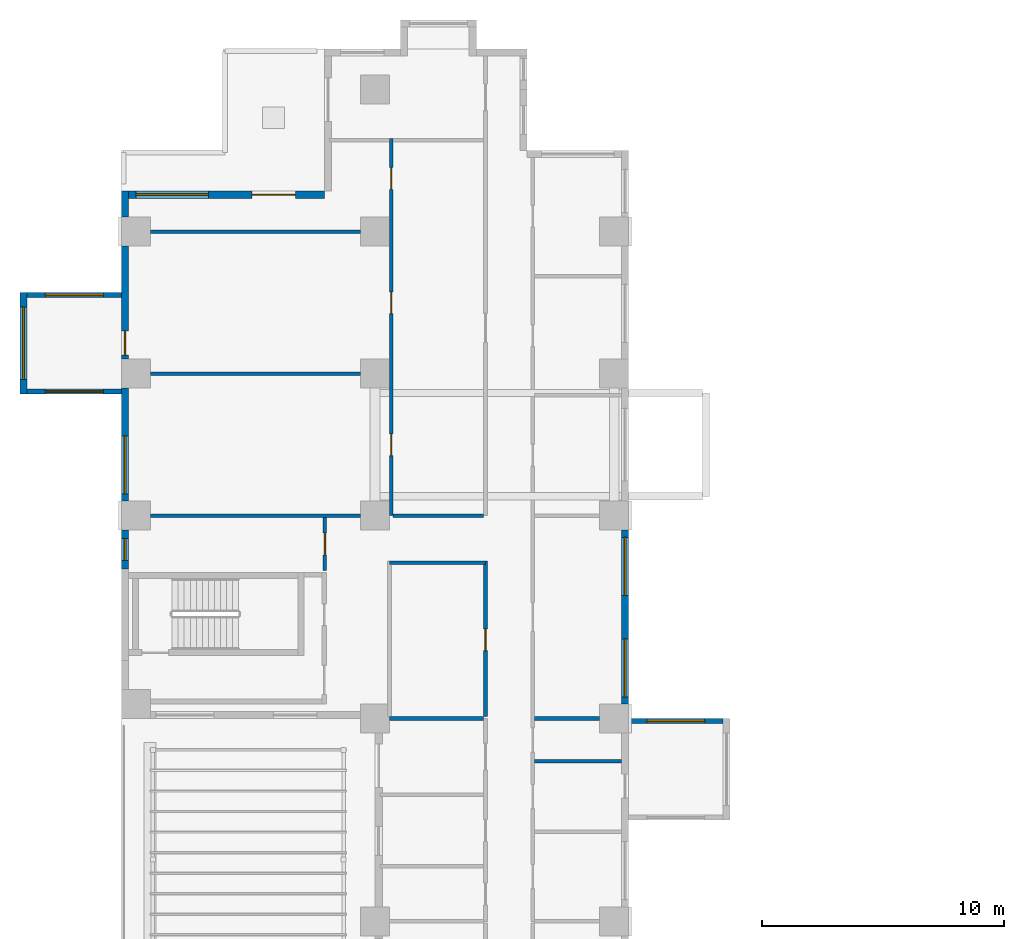
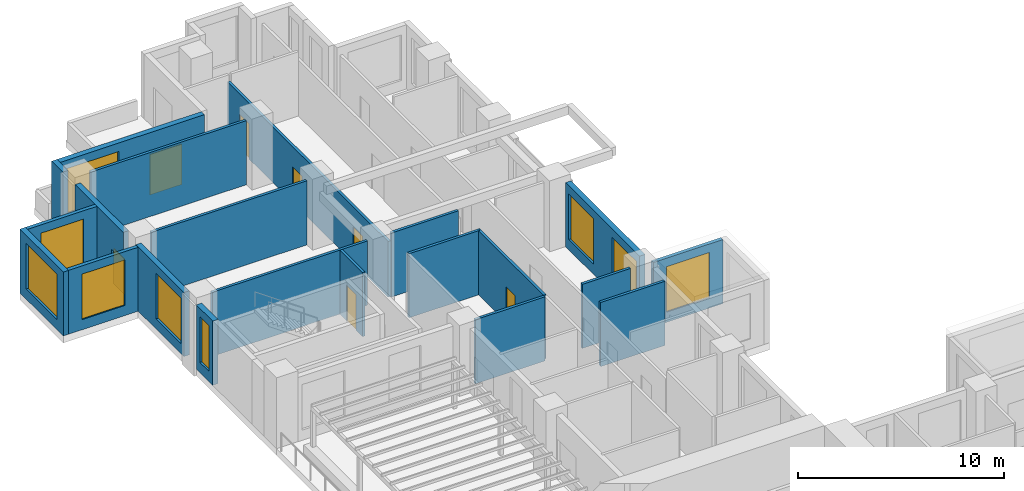
# One storey, part 9 of 17: 21 walls, 9 windows, 7 doors, 16 openings.
"""IFC4 building model written with IfcOpenShell, lengths in metres."""

from ifc_helpers import new_model, si_unit, direction, frame, frame_2d, origin, place, context, subcontext, project, spatial, rectangle, extrude, source, transform, mapped, material, layer, layer_set, type_object, element, fill, save


model = new_model("IFC4")

# Units and contexts
model_context = context("Model", 3, precision=1e-05, world=origin(), true_north=direction((0.0, 1.0)))
body_context = subcontext(model_context, "Body", "Model", "MODEL_VIEW")
ifc_project = project(units=[si_unit("LENGTHUNIT", "METRE"), si_unit("AREAUNIT", "SQUARE_METRE"), si_unit("VOLUMEUNIT", "CUBIC_METRE"), si_unit("PLANEANGLEUNIT", "RADIAN"), si_unit("MASSUNIT", "GRAM", prefix="KILO")], contexts=[model_context])

# Site, building, storey
site_placement = place(None, origin())
site = spatial("IfcSite", under=ifc_project, at=site_placement, CompositionType="ELEMENT")
building_placement = place(site_placement, origin())
building = spatial("IfcBuilding", under=site, at=building_placement, Name="Aurelian Terraces", CompositionType="ELEMENT")
storey_placement = place(building_placement, frame((0.0, 0.0, 69.9)))
storey = spatial("IfcBuildingStorey", under=building, at=storey_placement, Name="L14", CompositionType="ELEMENT", Elevation=69.9)

# Wall, openings, door, window
ifc_material_1 = material(Name="Terracotta rainscreen cladding", Category="masonry")
ifc_layer_1 = layer(ifc_material_1, 0.3)
ifc_layer_set_1 = layer_set([ifc_layer_1], Name="EW-300")
wall_type_1 = type_object("IfcWallType", Name="EW-300", PredefinedType="STANDARD", material=ifc_layer_set_1)
wall_1_placement = place(storey_placement, frame((8.4, 59.49, 0.0), z_axis=(0.0, 0.0, 1.0), x_axis=(-1.0, 0.0, 0.0)))
wall_1 = element("IfcWall", 1, at=wall_1_placement, inside=storey, type_object=wall_type_1, Name="External wall L14 F13.35", PredefinedType="STANDARD", context=body_context, shape_type="SweptSolid", body=[
    extrude(rectangle(XDim=8.4, YDim=0.3, at=frame_2d((4.2, 0.0))), origin(), (0.0, 0.0, 1.0), 3.8),
])
shared_shape_1 = source(origin(), body_context, "Body", "SweptSolid", [
    extrude(rectangle(XDim=1.8, YDim=2.4, at=frame_2d((0.9, 1.2))), frame((0.0, 0.16, 0.0), z_axis=(0.0, -1.0, 0.0), x_axis=(1.0, 0.0, 0.0)), (0.0, 0.0, 1.0), 0.32),
])
opening_1_placement = place(wall_1_placement, frame((1.2, 0.0, 0.0)))
opening_1 = element("IfcOpeningElement", 2, at=opening_1_placement, cuts=wall_1, Name="Opening 81403", PredefinedType="OPENING", context=body_context, shape_type="MappedRepresentation", body=[
    mapped(shared_shape_1, transform((0.0, 0.0, 0.0), scale=1.0)),
])
shared_shape_2 = source(origin(), body_context, "Body", "SweptSolid", [
    extrude(rectangle(XDim=3.0, YDim=2.7, at=frame_2d((1.5, 1.35))), frame((0.0, 0.16, 0.0), z_axis=(0.0, -1.0, 0.0), x_axis=(1.0, 0.0, 0.0)), (0.0, 0.0, 1.0), 0.32),
])
opening_2_placement = place(wall_1_placement, frame((4.8, 0.0, 0.6)))
opening_2 = element("IfcOpeningElement", 3, at=opening_2_placement, cuts=wall_1, Name="Opening W3027", PredefinedType="OPENING", context=body_context, shape_type="MappedRepresentation", body=[
    mapped(shared_shape_2, transform((0.0, 0.0, 0.0), scale=1.0)),
])
ifc_material_2 = material(Name="Clear glazing", Category="glass")
door_type_1 = type_object("IfcDoorType", Name="BD-1800x2400", OperationType="SLIDING_TO_LEFT", PredefinedType="DOOR", material=ifc_material_2)
shared_shape_3 = source(origin(), body_context, "Body", "SweptSolid", [
    extrude(rectangle(XDim=1.8, YDim=2.4, at=frame_2d((0.9, 1.2))), frame((0.0, 0.025, 0.0), z_axis=(0.0, -1.0, 0.0), x_axis=(1.0, 0.0, 0.0)), (0.0, 0.0, 1.0), 0.05),
])
door_1_placement = place(opening_1_placement, origin())
door_1 = element("IfcDoor", 4, at=door_1_placement, inside=storey, type_object=door_type_1, Name="Terrace door L14 L14-F13-35.1", OperationType="SLIDING_TO_LEFT", OverallHeight=2.4, OverallWidth=1.8, PredefinedType="DOOR", context=body_context, shape_type="MappedRepresentation", body=[
    mapped(shared_shape_3, transform((0.0, 0.0, 0.0), scale=1.0)),
])
fill(opening_1, door_1)
window_type_1 = type_object("IfcWindowType", Name="W-3000x2700", PartitioningType="SINGLE_PANEL", PredefinedType="WINDOW", material=ifc_material_2)
shared_shape_4 = source(origin(), body_context, "Body", "SweptSolid", [
    extrude(rectangle(XDim=3.0, YDim=2.7, at=frame_2d((1.5, 1.35))), frame((0.0, 0.03, 0.0), z_axis=(0.0, -1.0, 0.0), x_axis=(1.0, 0.0, 0.0)), (0.0, 0.0, 1.0), 0.06),
])
window_1_placement = place(opening_2_placement, origin())
window_1 = element("IfcWindow", 5, at=window_1_placement, inside=storey, type_object=window_type_1, Name="Window L14 L14-F13-35-1", OverallHeight=2.7, OverallWidth=3.0, PartitioningType="SINGLE_PANEL", PredefinedType="WINDOW", context=body_context, shape_type="MappedRepresentation", body=[
    mapped(shared_shape_4, transform((0.0, 0.0, 0.0), scale=1.0)),
])
fill(opening_2, window_1)

# Wall, openings, doors
ifc_material_3 = material(Name="Gypsum board on steel studs", Category="steel")
ifc_layer_2 = layer(ifc_material_3, 0.15)
ifc_layer_set_2 = layer_set([ifc_layer_2], Name="Partition 150")
wall_type_2 = type_object("IfcWallType", Name="Partition 150", PredefinedType="PARTITIONING", material=ifc_layer_set_2)
wall_2_placement = place(storey_placement, frame((11.175, 46.2, 0.0), z_axis=(0.0, 0.0, 1.0), x_axis=(0.0, 1.0, 0.0)))
wall_2 = element("IfcWall", 6, at=wall_2_placement, inside=storey, type_object=wall_type_2, Name="Partition", PredefinedType="PARTITIONING", context=body_context, shape_type="SweptSolid", body=[
    extrude(rectangle(XDim=15.615, YDim=0.15, at=frame_2d((7.8075, 0.0))), origin(), (0.0, 0.0, 1.0), 3.3),
])
shared_shape_5 = source(origin(), body_context, "Body", "SweptSolid", [
    extrude(rectangle(XDim=0.9, YDim=2.1, at=frame_2d((0.45, 1.05))), frame((0.0, 0.085, 0.0), z_axis=(0.0, -1.0, 0.0), x_axis=(1.0, 0.0, 0.0)), (0.0, 0.0, 1.0), 0.17),
])
opening_3_placement = place(wall_2_placement, frame((2.4875, 0.0, 0.0)))
opening_3 = element("IfcOpeningElement", 7, at=opening_3_placement, cuts=wall_2, Name="Opening 714038", PredefinedType="OPENING", context=body_context, shape_type="MappedRepresentation", body=[
    mapped(shared_shape_5, transform((0.0, 0.0, 0.0), scale=1.0)),
])
opening_4_placement = place(wall_2_placement, frame((8.3675, 0.0, 0.0)))
opening_4 = element("IfcOpeningElement", 8, at=opening_4_placement, cuts=wall_2, Name="Opening 714039", PredefinedType="OPENING", context=body_context, shape_type="MappedRepresentation", body=[
    mapped(shared_shape_5, transform((0.0, 0.0, 0.0), scale=1.0)),
])
opening_5_placement = place(wall_2_placement, frame((13.5125, 0.0, 0.0)))
opening_5 = element("IfcOpeningElement", 9, at=opening_5_placement, cuts=wall_2, Name="Opening 714040", PredefinedType="OPENING", context=body_context, shape_type="MappedRepresentation", body=[
    mapped(shared_shape_5, transform((0.0, 0.0, 0.0), scale=1.0)),
])
ifc_material_4 = material(Name="Timber door leaf", Category="wood")
door_type_2 = type_object("IfcDoorType", Name="Room door 900x2100 right", OperationType="SINGLE_SWING_RIGHT", PredefinedType="DOOR", material=ifc_material_4)
shared_shape_6 = source(origin(), body_context, "Body", "SweptSolid", [
    extrude(rectangle(XDim=0.9, YDim=2.1, at=frame_2d((0.45, 1.05))), frame((0.0, 0.025, 0.0), z_axis=(0.0, -1.0, 0.0), x_axis=(1.0, 0.0, 0.0)), (0.0, 0.0, 1.0), 0.05),
])
door_2_placement = place(opening_3_placement, origin())
door_2 = element("IfcDoor", 10, at=door_2_placement, inside=storey, type_object=door_type_2, Name="Door 714038", OperationType="SINGLE_SWING_RIGHT", OverallHeight=2.1, OverallWidth=0.9, PredefinedType="DOOR", context=body_context, shape_type="MappedRepresentation", body=[
    mapped(shared_shape_6, transform((0.0, 0.0, 0.0), scale=1.0)),
])
fill(opening_3, door_2)
door_type_3 = type_object("IfcDoorType", Name="Room door 900x2100 left", OperationType="SINGLE_SWING_LEFT", PredefinedType="DOOR", material=ifc_material_4)
door_3_placement = place(opening_4_placement, origin())
door_3 = element("IfcDoor", 11, at=door_3_placement, inside=storey, type_object=door_type_3, Name="Door 714039", OperationType="SINGLE_SWING_LEFT", OverallHeight=2.1, OverallWidth=0.9, PredefinedType="DOOR", context=body_context, shape_type="MappedRepresentation", body=[
    mapped(shared_shape_6, transform((0.0, 0.0, 0.0), scale=1.0)),
])
fill(opening_4, door_3)
door_4_placement = place(opening_5_placement, origin())
door_4 = element("IfcDoor", 12, at=door_4_placement, inside=storey, type_object=door_type_2, Name="Door 714040", OperationType="SINGLE_SWING_RIGHT", OverallHeight=2.1, OverallWidth=0.9, PredefinedType="DOOR", context=body_context, shape_type="MappedRepresentation", body=[
    mapped(shared_shape_6, transform((0.0, 0.0, 0.0), scale=1.0)),
])
fill(opening_5, door_4)

# Wall, openings, windows
shared_shape_7 = source(origin(), body_context, "Body", "SweptSolid", [
    extrude(rectangle(XDim=7.2, YDim=0.3, at=frame_2d((3.6, 0.0))), origin(), (0.0, 0.0, 1.0), 3.8),
])
wall_3_placement = place(storey_placement, frame((20.85, 38.4, 0.0), z_axis=(0.0, 0.0, 1.0), x_axis=(0.0, 1.0, 0.0)))
wall_3 = element("IfcWall", 13, at=wall_3_placement, inside=storey, type_object=wall_type_1, Name="External wall L14 F08.24", PredefinedType="STANDARD", context=body_context, shape_type="MappedRepresentation", body=[
    mapped(shared_shape_7, transform((0.0, 0.0, 0.0), scale=1.0)),
])
shared_shape_8 = source(origin(), body_context, "Body", "SweptSolid", [
    extrude(rectangle(XDim=2.4, YDim=2.7, at=frame_2d((1.2, 1.35))), frame((0.0, 0.16, 0.0), z_axis=(0.0, -1.0, 0.0), x_axis=(1.0, 0.0, 0.0)), (0.0, 0.0, 1.0), 0.32),
])
opening_6_placement = place(wall_3_placement, frame((0.3, 0.0, 0.6)))
opening_6 = element("IfcOpeningElement", 14, at=opening_6_placement, cuts=wall_3, Name="Opening W2427", PredefinedType="OPENING", context=body_context, shape_type="MappedRepresentation", body=[
    mapped(shared_shape_8, transform((0.0, 0.0, 0.0), scale=1.0)),
])
opening_7_placement = place(wall_3_placement, frame((4.5, 0.0, 0.6)))
opening_7 = element("IfcOpeningElement", 15, at=opening_7_placement, cuts=wall_3, Name="Opening W2427", PredefinedType="OPENING", context=body_context, shape_type="MappedRepresentation", body=[
    mapped(shared_shape_8, transform((0.0, 0.0, 0.0), scale=1.0)),
])
window_type_2 = type_object("IfcWindowType", Name="W-2400x2700", PartitioningType="SINGLE_PANEL", PredefinedType="WINDOW", material=ifc_material_2)
shared_shape_9 = source(origin(), body_context, "Body", "SweptSolid", [
    extrude(rectangle(XDim=2.4, YDim=2.7, at=frame_2d((1.2, 1.35))), frame((0.0, 0.03, 0.0), z_axis=(0.0, -1.0, 0.0), x_axis=(1.0, 0.0, 0.0)), (0.0, 0.0, 1.0), 0.06),
])
window_2_placement = place(opening_6_placement, origin())
window_2 = element("IfcWindow", 16, at=window_2_placement, inside=storey, type_object=window_type_2, Name="Window L14 L14-F08-24-0", OverallHeight=2.7, OverallWidth=2.4, PartitioningType="SINGLE_PANEL", PredefinedType="WINDOW", context=body_context, shape_type="MappedRepresentation", body=[
    mapped(shared_shape_9, transform((0.0, 0.0, 0.0), scale=1.0)),
])
fill(opening_6, window_2)
window_3_placement = place(opening_7_placement, origin())
window_3 = element("IfcWindow", 17, at=window_3_placement, inside=storey, type_object=window_type_2, Name="Window L14 L14-F08-24-1", OverallHeight=2.7, OverallWidth=2.4, PartitioningType="SINGLE_PANEL", PredefinedType="WINDOW", context=body_context, shape_type="MappedRepresentation", body=[
    mapped(shared_shape_9, transform((0.0, 0.0, 0.0), scale=1.0)),
])
fill(opening_7, window_3)

# Wall, opening, door
shared_shape_10 = source(origin(), body_context, "Body", "SweptSolid", [
    extrude(rectangle(XDim=4.68, YDim=0.3, at=frame_2d((2.34, 0.0))), origin(), (0.0, 0.0, 1.0), 3.8),
])
wall_4_placement = place(storey_placement, frame((0.15, 57.36, 0.0), z_axis=(0.0, 0.0, 1.0), x_axis=(0.0, -1.0, 0.0)))
wall_4 = element("IfcWall", 18, at=wall_4_placement, inside=storey, type_object=wall_type_1, Name="External wall L14 F14.36", PredefinedType="STANDARD", context=body_context, shape_type="MappedRepresentation", body=[
    mapped(shared_shape_10, transform((0.0, 0.0, 0.0), scale=1.0)),
])
shared_shape_11 = source(origin(), body_context, "Body", "SweptSolid", [
    extrude(rectangle(XDim=1.0, YDim=2.1, at=frame_2d((0.5, 1.05))), frame((0.0, 0.16, 0.0), z_axis=(0.0, -1.0, 0.0), x_axis=(1.0, 0.0, 0.0)), (0.0, 0.0, 1.0), 0.32),
])
opening_8_placement = place(wall_4_placement, frame((3.52, 0.0, 0.0)))
opening_8 = element("IfcOpeningElement", 19, at=opening_8_placement, cuts=wall_4, Name="Opening 814004", PredefinedType="OPENING", context=body_context, shape_type="MappedRepresentation", body=[
    mapped(shared_shape_11, transform((0.0, 0.0, 0.0), scale=1.0)),
])
door_type_4 = type_object("IfcDoorType", Name="Room door 1000x2100 left", OperationType="SINGLE_SWING_LEFT", PredefinedType="DOOR", material=ifc_material_4)
shared_shape_12 = source(origin(), body_context, "Body", "SweptSolid", [
    extrude(rectangle(XDim=1.0, YDim=2.1, at=frame_2d((0.5, 1.05))), frame((0.0, 0.025, 0.0), z_axis=(0.0, -1.0, 0.0), x_axis=(1.0, 0.0, 0.0)), (0.0, 0.0, 1.0), 0.05),
])
door_5_placement = place(opening_8_placement, origin())
door_5 = element("IfcDoor", 20, at=door_5_placement, inside=storey, type_object=door_type_4, Name="Door 814004", OperationType="SINGLE_SWING_LEFT", OverallHeight=2.1, OverallWidth=1.0, PredefinedType="DOOR", context=body_context, shape_type="MappedRepresentation", body=[
    mapped(shared_shape_12, transform((0.0, 0.0, 0.0), scale=1.0)),
])
fill(opening_8, door_5)

# Wall, opening, window
wall_5_placement = place(storey_placement, frame((0.15, 51.48, 0.0), z_axis=(0.0, 0.0, 1.0), x_axis=(0.0, -1.0, 0.0)))
wall_5 = element("IfcWall", 21, at=wall_5_placement, inside=storey, type_object=wall_type_1, Name="External wall L14 F14.36", PredefinedType="STANDARD", context=body_context, shape_type="MappedRepresentation", body=[
    mapped(shared_shape_10, transform((0.0, 0.0, 0.0), scale=1.0)),
])
opening_9_placement = place(wall_5_placement, frame((1.98, 0.0, 0.6)))
opening_9 = element("IfcOpeningElement", 22, at=opening_9_placement, cuts=wall_5, Name="Opening W2427", PredefinedType="OPENING", context=body_context, shape_type="MappedRepresentation", body=[
    mapped(shared_shape_8, transform((0.0, 0.0, 0.0), scale=1.0)),
])
window_4_placement = place(opening_9_placement, origin())
window_4 = element("IfcWindow", 23, at=window_4_placement, inside=storey, type_object=window_type_2, Name="Window L14 L14-F14-36-2", OverallHeight=2.7, OverallWidth=2.4, PartitioningType="SINGLE_PANEL", PredefinedType="WINDOW", context=body_context, shape_type="MappedRepresentation", body=[
    mapped(shared_shape_9, transform((0.0, 0.0, 0.0), scale=1.0)),
])
fill(opening_9, window_4)

shared_shape_13 = source(origin(), body_context, "Body", "SweptSolid", [
    extrude(rectangle(XDim=1.6, YDim=0.3, at=frame_2d((0.8, 0.0))), origin(), (0.0, 0.0, 1.0), 3.8),
])
wall_6_placement = place(storey_placement, frame((0.15, 45.6, 0.0), z_axis=(0.0, 0.0, 1.0), x_axis=(0.0, -1.0, 0.0)))
wall_6 = element("IfcWall", 24, at=wall_6_placement, inside=storey, type_object=wall_type_1, Name="External wall L14 F14.36", PredefinedType="STANDARD", context=body_context, shape_type="MappedRepresentation", body=[
    mapped(shared_shape_13, transform((0.0, 0.0, 0.0), scale=1.0)),
])
shared_shape_14 = source(origin(), body_context, "Body", "SweptSolid", [
    extrude(rectangle(XDim=0.9, YDim=2.7, at=frame_2d((0.45, 1.35))), frame((0.0, 0.16, 0.0), z_axis=(0.0, -1.0, 0.0), x_axis=(1.0, 0.0, 0.0)), (0.0, 0.0, 1.0), 0.32),
])
opening_10_placement = place(wall_6_placement, frame((0.35, 0.0, 0.6)))
opening_10 = element("IfcOpeningElement", 25, at=opening_10_placement, cuts=wall_6, Name="Opening W0927", PredefinedType="OPENING", context=body_context, shape_type="MappedRepresentation", body=[
    mapped(shared_shape_14, transform((0.0, 0.0, 0.0), scale=1.0)),
])
window_type_3 = type_object("IfcWindowType", Name="W-900x2700", PartitioningType="SINGLE_PANEL", PredefinedType="WINDOW", material=ifc_material_2)
shared_shape_15 = source(origin(), body_context, "Body", "SweptSolid", [
    extrude(rectangle(XDim=0.9, YDim=2.7, at=frame_2d((0.45, 1.35))), frame((0.0, 0.03, 0.0), z_axis=(0.0, -1.0, 0.0), x_axis=(1.0, 0.0, 0.0)), (0.0, 0.0, 1.0), 0.06),
])
window_5_placement = place(opening_10_placement, origin())
window_5 = element("IfcWindow", 26, at=window_5_placement, inside=storey, type_object=window_type_3, Name="Window L14 L14-F14-36-P3", OverallHeight=2.7, OverallWidth=0.9, PartitioningType="SINGLE_PANEL", PredefinedType="WINDOW", context=body_context, shape_type="MappedRepresentation", body=[
    mapped(shared_shape_15, transform((0.0, 0.0, 0.0), scale=1.0)),
])
fill(opening_10, window_5)

# Wall
shared_shape_16 = source(origin(), body_context, "Body", "SweptSolid", [
    extrude(rectangle(XDim=1.08, YDim=0.3, at=frame_2d((0.54, 0.0))), origin(), (0.0, 0.0, 1.0), 3.8),
])
wall_7_placement = place(storey_placement, frame((0.15, 59.64, 0.0), z_axis=(0.0, 0.0, 1.0), x_axis=(0.0, -1.0, 0.0)))
element("IfcWall", 27, at=wall_7_placement, inside=storey, type_object=wall_type_1, Name="External wall L14 F14.36", PredefinedType="STANDARD", context=body_context, shape_type="MappedRepresentation", body=[
    mapped(shared_shape_16, transform((0.0, 0.0, 0.0), scale=1.0)),
])

# Wall, opening, window
ifc_material_5 = material(Name="Concrete fc' 40 MPa", Category="concrete")
ifc_layer_3 = layer(ifc_material_5, 0.2)
ifc_layer_set_3 = layer_set([ifc_layer_3], Name="BOX BEARING WALL 200")
wall_type_3 = type_object("IfcWallType", Name="BOX BEARING WALL 200", PredefinedType="SOLIDWALL", material=ifc_layer_set_3)
shared_shape_17 = source(origin(), body_context, "Body", "SweptSolid", [
    extrude(rectangle(XDim=3.9, YDim=0.2, at=frame_2d((1.95, 0.0))), origin(), (0.0, 0.0, 1.0), 3.79),
])
wall_8_placement = place(storey_placement, frame((0.0, 55.34, 0.0), z_axis=(0.0, 0.0, 1.0), x_axis=(-1.0, 0.0, 0.0)))
wall_8 = element("IfcWall", 28, at=wall_8_placement, inside=storey, type_object=wall_type_3, Name="Box return L14 J15.1", PredefinedType="SOLIDWALL", context=body_context, shape_type="MappedRepresentation", body=[
    mapped(shared_shape_17, transform((0.0, 0.0, 0.0), scale=1.0)),
])
shared_shape_18 = source(origin(), body_context, "Body", "SweptSolid", [
    extrude(rectangle(XDim=2.4, YDim=2.7, at=frame_2d((1.2, 1.35))), frame((0.0, 0.11, 0.0), z_axis=(0.0, -1.0, 0.0), x_axis=(1.0, 0.0, 0.0)), (0.0, 0.0, 1.0), 0.22),
])
opening_11_placement = place(wall_8_placement, frame((0.75, 0.0, 0.6)))
opening_11 = element("IfcOpeningElement", 29, at=opening_11_placement, cuts=wall_8, Name="Opening W2427", PredefinedType="OPENING", context=body_context, shape_type="MappedRepresentation", body=[
    mapped(shared_shape_18, transform((0.0, 0.0, 0.0), scale=1.0)),
])
window_6_placement = place(opening_11_placement, origin())
window_6 = element("IfcWindow", 30, at=window_6_placement, inside=storey, type_object=window_type_2, Name="Window L14 J15-S1", OverallHeight=2.7, OverallWidth=2.4, PartitioningType="SINGLE_PANEL", PredefinedType="WINDOW", context=body_context, shape_type="MappedRepresentation", body=[
    mapped(shared_shape_9, transform((0.0, 0.0, 0.0), scale=1.0)),
])
fill(opening_11, window_6)

wall_9_placement = place(storey_placement, frame((0.0, 51.34, 0.0), z_axis=(0.0, 0.0, 1.0), x_axis=(-1.0, 0.0, 0.0)))
wall_9 = element("IfcWall", 31, at=wall_9_placement, inside=storey, type_object=wall_type_3, Name="Box return L14 J15.2", PredefinedType="SOLIDWALL", context=body_context, shape_type="MappedRepresentation", body=[
    mapped(shared_shape_17, transform((0.0, 0.0, 0.0), scale=1.0)),
])
opening_12_placement = place(wall_9_placement, frame((0.75, 0.0, 0.6)))
opening_12 = element("IfcOpeningElement", 32, at=opening_12_placement, cuts=wall_9, Name="Opening W2427", PredefinedType="OPENING", context=body_context, shape_type="MappedRepresentation", body=[
    mapped(shared_shape_18, transform((0.0, 0.0, 0.0), scale=1.0)),
])
window_7_placement = place(opening_12_placement, origin())
window_7 = element("IfcWindow", 33, at=window_7_placement, inside=storey, type_object=window_type_2, Name="Window L14 J15-S2", OverallHeight=2.7, OverallWidth=2.4, PartitioningType="SINGLE_PANEL", PredefinedType="WINDOW", context=body_context, shape_type="MappedRepresentation", body=[
    mapped(shared_shape_9, transform((0.0, 0.0, 0.0), scale=1.0)),
])
fill(opening_12, window_7)

shared_shape_19 = source(origin(), body_context, "Body", "SweptSolid", [
    extrude(rectangle(XDim=3.9, YDim=0.2, at=frame_2d((1.95, 0.0))), origin(), (0.0, 0.0, 1.0), 3.8),
])
wall_10_placement = place(storey_placement, frame((21.0, 37.7, 0.0), z_axis=(0.0, 0.0, 1.0), x_axis=(1.0, 0.0, 0.0)))
wall_10 = element("IfcWall", 34, at=wall_10_placement, inside=storey, type_object=wall_type_3, Name="Box return L14 J14.2", PredefinedType="SOLIDWALL", context=body_context, shape_type="MappedRepresentation", body=[
    mapped(shared_shape_19, transform((0.0, 0.0, 0.0), scale=1.0)),
])
opening_13_placement = place(wall_10_placement, frame((0.75, 0.0, 0.6)))
opening_13 = element("IfcOpeningElement", 35, at=opening_13_placement, cuts=wall_10, Name="Opening W2427", PredefinedType="OPENING", context=body_context, shape_type="MappedRepresentation", body=[
    mapped(shared_shape_18, transform((0.0, 0.0, 0.0), scale=1.0)),
])
window_8_placement = place(opening_13_placement, origin())
window_8 = element("IfcWindow", 36, at=window_8_placement, inside=storey, type_object=window_type_2, Name="Window L14 J14-S2", OverallHeight=2.7, OverallWidth=2.4, PartitioningType="SINGLE_PANEL", PredefinedType="WINDOW", context=body_context, shape_type="MappedRepresentation", body=[
    mapped(shared_shape_9, transform((0.0, 0.0, 0.0), scale=1.0)),
])
fill(opening_13, window_8)

ifc_layer_4 = layer(ifc_material_5, 0.3)
ifc_layer_set_4 = layer_set([ifc_layer_4], Name="BOX BEARING WALL 300")
wall_type_4 = type_object("IfcWallType", Name="BOX BEARING WALL 300", PredefinedType="SOLIDWALL", material=ifc_layer_set_4)
shared_shape_20 = source(origin(), body_context, "Body", "SweptSolid", [
    extrude(rectangle(XDim=4.2, YDim=0.3, at=frame_2d((2.1, 0.0))), origin(), (0.0, 0.0, 1.0), 3.79),
])
wall_11_placement = place(storey_placement, frame((-4.05, 55.44, 0.0), z_axis=(0.0, 0.0, 1.0), x_axis=(0.0, -1.0, 0.0)))
wall_11 = element("IfcWall", 37, at=wall_11_placement, inside=storey, type_object=wall_type_4, Name="Box wall L14 J15", PredefinedType="SOLIDWALL", context=body_context, shape_type="MappedRepresentation", body=[
    mapped(shared_shape_20, transform((0.0, 0.0, 0.0), scale=1.0)),
])
opening_14_placement = place(wall_11_placement, frame((0.6, 0.0, 0.6)))
opening_14 = element("IfcOpeningElement", 38, at=opening_14_placement, cuts=wall_11, Name="Opening W3027", PredefinedType="OPENING", context=body_context, shape_type="MappedRepresentation", body=[
    mapped(shared_shape_2, transform((0.0, 0.0, 0.0), scale=1.0)),
])
window_9_placement = place(opening_14_placement, origin())
window_9 = element("IfcWindow", 39, at=window_9_placement, inside=storey, type_object=window_type_1, Name="Window L14 J15-F1", OverallHeight=2.7, OverallWidth=3.0, PartitioningType="SINGLE_PANEL", PredefinedType="WINDOW", context=body_context, shape_type="MappedRepresentation", body=[
    mapped(shared_shape_4, transform((0.0, 0.0, 0.0), scale=1.0)),
])
fill(opening_14, window_9)

# Wall, opening, door
ifc_layer_5 = layer(ifc_material_3, 0.15)
ifc_layer_set_5 = layer_set([ifc_layer_5], Name="Fire partition 150")
wall_type_5 = type_object("IfcWallType", Name="Fire partition 150", PredefinedType="PARTITIONING", material=ifc_layer_set_5)
shared_shape_21 = source(origin(), body_context, "Body", "SweptSolid", [
    extrude(rectangle(XDim=6.45, YDim=0.15, at=frame_2d((3.225, 0.0))), origin(), (0.0, 0.0, 1.0), 3.8),
])
wall_12_placement = place(storey_placement, frame((15.075, 37.875, 0.0), z_axis=(0.0, 0.0, 1.0), x_axis=(0.0, 1.0, 0.0)))
wall_12 = element("IfcWall", 40, at=wall_12_placement, inside=storey, type_object=wall_type_5, Name="Corridor wall", PredefinedType="PARTITIONING", context=body_context, shape_type="MappedRepresentation", body=[
    mapped(shared_shape_21, transform((0.0, 0.0, 0.0), scale=1.0)),
])
opening_15_placement = place(wall_12_placement, frame((2.7375, 0.0, 0.0)))
opening_15 = element("IfcOpeningElement", 41, at=opening_15_placement, cuts=wall_12, Name="Opening 714032", PredefinedType="OPENING", context=body_context, shape_type="MappedRepresentation", body=[
    mapped(shared_shape_5, transform((0.0, 0.0, 0.0), scale=1.0)),
])
door_6_placement = place(opening_15_placement, origin())
door_6 = element("IfcDoor", 42, at=door_6_placement, inside=storey, type_object=door_type_2, Name="Door 714032", OperationType="SINGLE_SWING_RIGHT", OverallHeight=2.1, OverallWidth=0.9, PredefinedType="DOOR", context=body_context, shape_type="MappedRepresentation", body=[
    mapped(shared_shape_6, transform((0.0, 0.0, 0.0), scale=1.0)),
])
fill(opening_15, door_6)

# Walls
shared_shape_22 = source(origin(), body_context, "Body", "SweptSolid", [
    extrude(rectangle(XDim=3.75, YDim=0.15, at=frame_2d((1.875, 0.0))), origin(), (0.0, 0.0, 1.0), 3.8),
])
wall_13_placement = place(storey_placement, frame((15.0, 46.2, 0.0), z_axis=(0.0, 0.0, 1.0), x_axis=(-1.0, 0.0, 0.0)))
element("IfcWall", 43, at=wall_13_placement, inside=storey, type_object=wall_type_2, Name="Partition", PredefinedType="PARTITIONING", context=body_context, shape_type="MappedRepresentation", body=[
    mapped(shared_shape_22, transform((0.0, 0.0, 0.0), scale=1.0)),
])
shared_shape_23 = source(origin(), body_context, "Body", "SweptSolid", [
    extrude(rectangle(XDim=8.702, YDim=0.15, at=frame_2d((4.351, 0.0))), origin(), (0.0, 0.0, 1.0), 3.8),
])
for number, where, z_axis, x_axis, name in (
    (44, (9.901, 52.08, 0.0), (0.0, 0.0, 1.0), (-1.0, 0.0, 0.0), "Partition"),
    (45, (9.901, 57.96, 0.0), (0.0, 0.0, 1.0), (-1.0, 0.0, 0.0), "Partition"),
    (46, (9.901, 46.2, 0.0), (0.0, 0.0, 1.0), (-1.0, 0.0, 0.0), "Partition"),
):
    element("IfcWall", number, at=place(storey_placement, frame(where, z_axis=z_axis, x_axis=x_axis)), inside=storey, type_object=wall_type_2, Name=name, PredefinedType="PARTITIONING", context=body_context, shape_type="MappedRepresentation", body=[
        mapped(shared_shape_23, transform((0.0, 0.0, 0.0), scale=1.0)),
    ])
shared_shape_24 = source(origin(), body_context, "Body", "SweptSolid", [
    extrude(rectangle(XDim=3.6, YDim=0.15, at=frame_2d((1.8, 0.0))), origin(), (0.0, 0.0, 1.0), 3.8),
])
wall_14_placement = place(storey_placement, frame((17.1, 36.024, 0.0), z_axis=(0.0, 0.0, 1.0), x_axis=(1.0, 0.0, 0.0)))
element("IfcWall", 47, at=wall_14_placement, inside=storey, type_object=wall_type_2, Name="Partition", PredefinedType="PARTITIONING", context=body_context, shape_type="MappedRepresentation", body=[
    mapped(shared_shape_24, transform((0.0, 0.0, 0.0), scale=1.0)),
])
shared_shape_25 = source(origin(), body_context, "Body", "SweptSolid", [
    extrude(rectangle(XDim=2.701, YDim=0.15, at=frame_2d((1.3505, 0.0))), origin(), (0.0, 0.0, 1.0), 3.8),
])
wall_15_placement = place(storey_placement, frame((19.801, 37.8, 0.0), z_axis=(0.0, 0.0, 1.0), x_axis=(-1.0, 0.0, 0.0)))
element("IfcWall", 48, at=wall_15_placement, inside=storey, type_object=wall_type_2, Name="Partition", PredefinedType="PARTITIONING", context=body_context, shape_type="MappedRepresentation", body=[
    mapped(shared_shape_25, transform((0.0, 0.0, 0.0), scale=1.0)),
])
shared_shape_26 = source(origin(), body_context, "Body", "SweptSolid", [
    extrude(rectangle(XDim=3.901, YDim=0.15, at=frame_2d((1.9505, 0.0))), origin(), (0.0, 0.0, 1.0), 3.8),
])
wall_16_placement = place(storey_placement, frame((15.0, 37.8, 0.0), z_axis=(0.0, 0.0, 1.0), x_axis=(-1.0, 0.0, 0.0)))
element("IfcWall", 49, at=wall_16_placement, inside=storey, type_object=wall_type_2, Name="Partition", PredefinedType="PARTITIONING", context=body_context, shape_type="MappedRepresentation", body=[
    mapped(shared_shape_26, transform((0.0, 0.0, 0.0), scale=1.0)),
])

# Wall, opening, door
shared_shape_27 = source(origin(), body_context, "Body", "SweptSolid", [
    extrude(rectangle(XDim=2.2, YDim=0.15, at=frame_2d((1.1, 0.0))), origin(), (0.0, 0.0, 1.0), 3.8),
])
wall_17_placement = place(storey_placement, frame((8.425, 43.925, 0.0), z_axis=(0.0, 0.0, 1.0), x_axis=(0.0, 1.0, 0.0)))
wall_17 = element("IfcWall", 50, at=wall_17_placement, inside=storey, type_object=wall_type_2, Name="Partition", PredefinedType="PARTITIONING", context=body_context, shape_type="MappedRepresentation", body=[
    mapped(shared_shape_27, transform((0.0, 0.0, 0.0), scale=1.0)),
])
opening_16_placement = place(wall_17_placement, frame((0.65, 0.0, 0.0)))
opening_16 = element("IfcOpeningElement", 51, at=opening_16_placement, cuts=wall_17, Name="Opening 714033", PredefinedType="OPENING", context=body_context, shape_type="MappedRepresentation", body=[
    mapped(shared_shape_5, transform((0.0, 0.0, 0.0), scale=1.0)),
])
door_7_placement = place(opening_16_placement, origin())
door_7 = element("IfcDoor", 52, at=door_7_placement, inside=storey, type_object=door_type_2, Name="Door 714033", OperationType="SINGLE_SWING_RIGHT", OverallHeight=2.1, OverallWidth=0.9, PredefinedType="DOOR", context=body_context, shape_type="MappedRepresentation", body=[
    mapped(shared_shape_6, transform((0.0, 0.0, 0.0), scale=1.0)),
])
fill(opening_16, door_7)

# Wall
shared_shape_28 = source(origin(), body_context, "Body", "SweptSolid", [
    extrude(rectangle(XDim=3.975, YDim=0.15, at=frame_2d((1.9875, 0.0))), origin(), (0.0, 0.0, 1.0), 3.8),
])
wall_18_placement = place(storey_placement, frame((15.075, 44.25, 0.0), z_axis=(0.0, 0.0, 1.0), x_axis=(-1.0, 0.0, 0.0)))
element("IfcWall", 53, at=wall_18_placement, inside=storey, type_object=wall_type_2, Name="Partition", PredefinedType="PARTITIONING", context=body_context, shape_type="MappedRepresentation", body=[
    mapped(shared_shape_28, transform((0.0, 0.0, 0.0), scale=1.0)),
])

save(model, "model.ifc")
